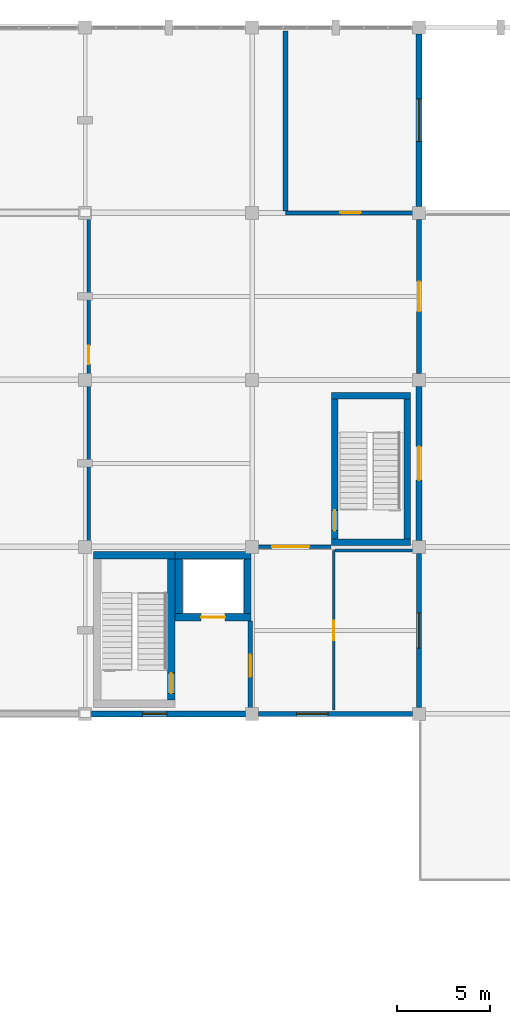
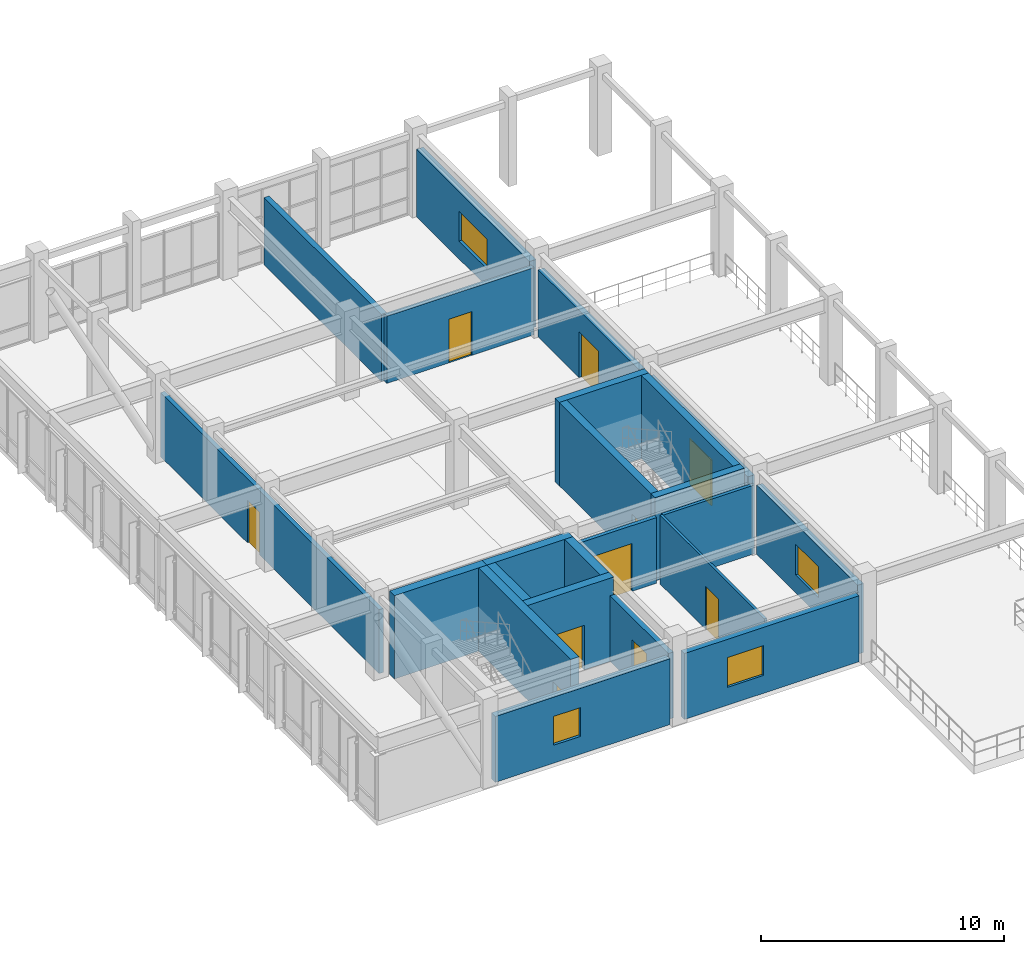
# One storey, part 45 of 55: 23 walls, 10 doors, 4 windows, 14 openings.
"""IFC4 building model written with IfcOpenShell, lengths in metres."""

from ifc_helpers import new_model, si_unit, direction, frame, frame_2d, origin, place, context, subcontext, project, spatial, rectangle, extrude, material, layer, layer_set, type_object, element, fill, save


model = new_model("IFC4")

# Units and contexts
model_context = context("Model", 3, precision=1e-05, world=origin(), true_north=direction((0.0, 1.0)))
body_context = subcontext(model_context, "Body", "Model", "MODEL_VIEW")
ifc_project = project(units=[si_unit("LENGTHUNIT", "METRE"), si_unit("AREAUNIT", "SQUARE_METRE"), si_unit("VOLUMEUNIT", "CUBIC_METRE"), si_unit("PLANEANGLEUNIT", "RADIAN"), si_unit("MASSUNIT", "GRAM", prefix="KILO")], contexts=[model_context])

# Site, building, storey
site_placement = place(None, origin())
site = spatial("IfcSite", under=ifc_project, at=site_placement, CompositionType="ELEMENT")
building_placement = place(site_placement, origin())
building = spatial("IfcBuilding", under=site, at=building_placement, Name="Ventoquebrada Cableway Terminal", CompositionType="ELEMENT")
storey_placement = place(building_placement, frame((0.0, 0.0, 14.39990234375)))
storey = spatial("IfcBuildingStorey", under=building, at=storey_placement, Name="L03", CompositionType="ELEMENT", Elevation=14.39990234375)

# Wall, opening, door
ifc_material_1 = material(Name="Concrete C40/50", Category="concrete")
ifc_layer_1 = layer(ifc_material_1, 0.39990234375)
ifc_layer_set_1 = layer_set([ifc_layer_1], Name="Concrete C40/50")
wall_type_1 = type_object("IfcWallType", Name="WL-CR1", PredefinedType="SHEAR", material=ifc_layer_set_1)
wall_1_placement = place(storey_placement, frame((12.85009765625, 77.75, 0.0), z_axis=(0.0, 0.0, 1.0), x_axis=(0.0, 1.0, 0.0)))
wall_1 = element("IfcWall", 1, at=wall_1_placement, inside=storey, type_object=wall_type_1, Name="Core shear wall IW-0074", PredefinedType="SHEAR", context=body_context, shape_type="SweptSolid", body=[
    extrude(rectangle(XDim=7.60009765625, YDim=0.39990234375, at=frame_2d((3.800048828125, 0.0))), origin(), (0.0, 0.0, 1.0), 4.190185546875),
])
opening_1_placement = place(wall_1_placement, frame((0.35009765625, 0.0, 0.0)))
opening_1 = element("IfcOpeningElement", 2, at=opening_1_placement, cuts=wall_1, Name="Opening D-009", PredefinedType="OPENING", context=body_context, shape_type="SweptSolid", body=[
    extrude(rectangle(XDim=1.10009765625, YDim=2.199951171875, at=frame_2d((0.550048828125, 1.10009765625))), frame((0.0, 0.2099609375, 0.0), z_axis=(0.0, -1.0, 0.0), x_axis=(1.0, 0.0, 0.0)), (0.0, 0.0, 1.0), 0.419921875),
])
ifc_material_2 = material(Name="Galvanized fire-rated steel door assembly", Category="steel")
door_type_1 = type_object("IfcDoorType", Name="DT-IN05", OperationType="SINGLE_SWING_LEFT", PredefinedType="DOOR", material=ifc_material_2)
door_1_placement = place(opening_1_placement, origin())
door_1 = element("IfcDoor", 3, at=door_1_placement, inside=storey, type_object=door_type_1, Name="Core K3-S stair fire door D-009", OperationType="SINGLE_SWING_RIGHT", OverallHeight=2.199951171875, OverallWidth=1.10009765625, PredefinedType="DOOR", context=body_context, shape_type="SweptSolid", body=[
    extrude(rectangle(XDim=1.10009765625, YDim=2.199951171875, at=frame_2d((0.550048828125, 1.10009765625))), frame((0.0, 0.02490234375, 0.0), z_axis=(0.0, -1.0, 0.0), x_axis=(1.0, 0.0, 0.0)), (0.0, 0.0, 1.0), 0.050048828125),
])
fill(opening_1, door_1)

# Wall
wall_2_placement = place(storey_placement, frame((13.050048828125, 85.550048828125, 0.0), z_axis=(0.0, 0.0, 1.0), x_axis=(-1.0, 0.0, 0.0)))
element("IfcWall", 4, at=wall_2_placement, inside=storey, type_object=wall_type_1, Name="Core shear wall IW-0075", PredefinedType="SHEAR", context=body_context, shape_type="SweptSolid", body=[
    extrude(rectangle(XDim=4.400146484375, YDim=0.39990234375, at=frame_2d((2.2001953125, 0.0))), origin(), (0.0, 0.0, 1.0), 4.190185546875),
])

# Wall, opening, door
wall_3_placement = place(storey_placement, frame((13.050048828125, 82.199951171875, 0.0), z_axis=(0.0, 0.0, 1.0), x_axis=(1.0, 0.0, 0.0)))
wall_3 = element("IfcWall", 5, at=wall_3_placement, inside=storey, type_object=wall_type_1, Name="Core shear wall IW-0077", PredefinedType="SHEAR", context=body_context, shape_type="SweptSolid", body=[
    extrude(rectangle(XDim=4.099853515625, YDim=0.39990234375, at=frame_2d((2.0498046875, 0.0))), origin(), (0.0, 0.0, 1.0), 4.190185546875),
])
opening_2_placement = place(wall_3_placement, frame((1.39990234375, 0.0, 0.0)))
opening_2 = element("IfcOpeningElement", 6, at=opening_2_placement, cuts=wall_3, Name="Opening LD-009", PredefinedType="OPENING", context=body_context, shape_type="SweptSolid", body=[
    extrude(rectangle(XDim=1.300048828125, YDim=2.25, at=frame_2d((0.64990234375, 1.125))), frame((0.0, 0.2099609375, 0.0), z_axis=(0.0, -1.0, 0.0), x_axis=(1.0, 0.0, 0.0)), (0.0, 0.0, 1.0), 0.419921875),
])
ifc_material_3 = material(Name="Brushed stainless steel Grade 316", Category="steel")
door_type_2 = type_object("IfcDoorType", Name="DT-LD02", OperationType="SLIDING_TO_RIGHT", PredefinedType="DOOR", material=ifc_material_3)
door_2_placement = place(opening_2_placement, origin())
door_2 = element("IfcDoor", 7, at=door_2_placement, inside=storey, type_object=door_type_2, Name="Lift landing sliding door LD-009", OperationType="SLIDING_TO_RIGHT", OverallHeight=2.25, OverallWidth=1.300048828125, PredefinedType="DOOR", context=body_context, shape_type="SweptSolid", body=[
    extrude(rectangle(XDim=1.300048828125, YDim=2.25, at=frame_2d((0.64990234375, 1.125))), frame((0.0, 0.02490234375, 0.0), z_axis=(0.0, -1.0, 0.0), x_axis=(1.0, 0.0, 0.0)), (0.0, 0.0, 1.0), 0.050048828125),
])
fill(opening_2, door_2)

# Walls
wall_4_placement = place(storey_placement, frame((16.949951171875, 82.39990234375, 0.0), z_axis=(0.0, 0.0, 1.0), x_axis=(0.0, 1.0, 0.0)))
element("IfcWall", 8, at=wall_4_placement, inside=storey, type_object=wall_type_1, Name="Core shear wall IW-0078", PredefinedType="SHEAR", context=body_context, shape_type="SweptSolid", body=[
    extrude(rectangle(XDim=2.9501953125, YDim=0.39990234375, at=frame_2d((1.47509765625, 0.0))), origin(), (0.0, 0.0, 1.0), 4.190185546875),
])
wall_5_placement = place(storey_placement, frame((17.14990234375, 85.550048828125, 0.0), z_axis=(0.0, 0.0, 1.0), x_axis=(-1.0, 0.0, 0.0)))
element("IfcWall", 9, at=wall_5_placement, inside=storey, type_object=wall_type_1, Name="Core shear wall IW-0079", PredefinedType="SHEAR", context=body_context, shape_type="SweptSolid", body=[
    extrude(rectangle(XDim=4.099853515625, YDim=0.39990234375, at=frame_2d((2.0498046875, 0.0))), origin(), (0.0, 0.0, 1.0), 4.190185546875),
])
wall_6_placement = place(storey_placement, frame((13.25, 85.35009765625, 0.0), z_axis=(0.0, 0.0, 1.0), x_axis=(0.0, -1.0, 0.0)))
element("IfcWall", 10, at=wall_6_placement, inside=storey, type_object=wall_type_1, Name="Core shear wall IW-0080", PredefinedType="SHEAR", context=body_context, shape_type="SweptSolid", body=[
    extrude(rectangle(XDim=2.9501953125, YDim=0.39990234375, at=frame_2d((1.47509765625, 0.0))), origin(), (0.0, 0.0, 1.0), 4.190185546875),
])

# Wall, opening, window
ifc_material_4 = material(Name="Precast architectural concrete C40/50", Category="concrete")
ifc_layer_2 = layer(ifc_material_4, 0.280029296875)
ifc_layer_set_2 = layer_set([ifc_layer_2], Name="Precast architectural concrete C40/50")
wall_type_2 = type_object("IfcWallType", Name="WL-EX1", PredefinedType="SOLIDWALL", material=ifc_layer_set_2)
wall_7_placement = place(storey_placement, frame((17.544921875, 77.0, 0.0), z_axis=(0.0, 0.0, 1.0), x_axis=(1.0, 0.0, 0.0)))
wall_7 = element("IfcWall", 11, at=wall_7_placement, inside=storey, type_object=wall_type_2, Name="Exterior architectural wall EW-0165", PredefinedType="SOLIDWALL", context=body_context, shape_type="SweptSolid", body=[
    extrude(rectangle(XDim=8.31005859375, YDim=0.280029296875, at=frame_2d((4.155029296875, 0.0))), origin(), (0.0, 0.0, 1.0), 3.314208984375),
])
opening_3_placement = place(wall_7_placement, frame((2.054931640625, 0.0, 0.89990234375)))
opening_3 = element("IfcOpeningElement", 12, at=opening_3_placement, cuts=wall_7, Name="Opening WN-076", PredefinedType="OPENING", context=body_context, shape_type="SweptSolid", body=[
    extrude(rectangle(XDim=1.699951171875, YDim=1.5, at=frame_2d((0.85009765625, 0.75))), frame((0.0, 0.14990234375, 0.0), z_axis=(0.0, -1.0, 0.0), x_axis=(1.0, 0.0, 0.0)), (0.0, 0.0, 1.0), 0.300048828125),
])
ifc_material_5 = material(Name="Double low-e laminated safety glazing", Category="glass")
window_type_1 = type_object("IfcWindowType", Name="WT-16", PartitioningType="SINGLE_PANEL", PredefinedType="WINDOW", material=ifc_material_5)
window_1_placement = place(opening_3_placement, origin())
window_1 = element("IfcWindow", 13, at=window_1_placement, inside=storey, type_object=window_type_1, Name="Architectural punched window WN-076", OverallHeight=1.5, OverallWidth=1.699951171875, PartitioningType="SINGLE_PANEL", PredefinedType="WINDOW", context=body_context, shape_type="SweptSolid", body=[
    extrude(rectangle(XDim=1.699951171875, YDim=1.5, at=frame_2d((0.85009765625, 0.75))), frame((0.0, 0.030029296875, 0.0), z_axis=(0.0, -1.0, 0.0), x_axis=(1.0, 0.0, 0.0)), (0.0, 0.0, 1.0), 0.06005859375),
])
fill(opening_3, window_1)

wall_8_placement = place(storey_placement, frame((26.199951171875, 77.344970703125, 0.0), z_axis=(0.0, 0.0, 1.0), x_axis=(0.0, 1.0, 0.0)))
wall_8 = element("IfcWall", 14, at=wall_8_placement, inside=storey, type_object=wall_type_2, Name="Exterior architectural wall EW-0166", PredefinedType="SOLIDWALL", context=body_context, shape_type="SweptSolid", body=[
    extrude(rectangle(XDim=8.31005859375, YDim=0.280029296875, at=frame_2d((4.155029296875, 0.0))), origin(), (0.0, 0.0, 1.0), 3.47216796875),
])
opening_4_placement = place(wall_8_placement, frame((3.205078125, 0.0, 0.89990234375)))
opening_4 = element("IfcOpeningElement", 15, at=opening_4_placement, cuts=wall_8, Name="Opening WN-077", PredefinedType="OPENING", context=body_context, shape_type="SweptSolid", body=[
    extrude(rectangle(XDim=1.89990234375, YDim=1.550048828125, at=frame_2d((0.949951171875, 0.77490234375))), frame((0.0, 0.14990234375, 0.0), z_axis=(0.0, -1.0, 0.0), x_axis=(1.0, 0.0, 0.0)), (0.0, 0.0, 1.0), 0.300048828125),
])
window_type_2 = type_object("IfcWindowType", Name="WT-17", PartitioningType="SINGLE_PANEL", PredefinedType="WINDOW", material=ifc_material_5)
window_2_placement = place(opening_4_placement, origin())
window_2 = element("IfcWindow", 16, at=window_2_placement, inside=storey, type_object=window_type_2, Name="Architectural punched window WN-077", OverallHeight=1.550048828125, OverallWidth=1.89990234375, PartitioningType="SINGLE_PANEL", PredefinedType="WINDOW", context=body_context, shape_type="SweptSolid", body=[
    extrude(rectangle(XDim=1.89990234375, YDim=1.550048828125, at=frame_2d((0.949951171875, 0.77490234375))), frame((0.0, 0.030029296875, 0.0), z_axis=(0.0, -1.0, 0.0), x_axis=(1.0, 0.0, 0.0)), (0.0, 0.0, 1.0), 0.06005859375),
])
fill(opening_4, window_2)

# Wall, opening, door
wall_9_placement = place(storey_placement, frame((26.199951171875, 95.344970703125, 0.0), z_axis=(0.0, 0.0, 1.0), x_axis=(0.0, 1.0, 0.0)))
wall_9 = element("IfcWall", 17, at=wall_9_placement, inside=storey, type_object=wall_type_2, Name="Exterior architectural wall EW-0168", PredefinedType="SOLIDWALL", context=body_context, shape_type="SweptSolid", body=[
    extrude(rectangle(XDim=8.31005859375, YDim=0.280029296875, at=frame_2d((4.155029296875, 0.0))), origin(), (0.0, 0.0, 1.0), 3.38720703125),
])
opening_5_placement = place(wall_9_placement, frame((3.35498046875, 0.0, 0.0)))
opening_5 = element("IfcOpeningElement", 18, at=opening_5_placement, cuts=wall_9, Name="Opening D-TD-12", PredefinedType="OPENING", context=body_context, shape_type="SweptSolid", body=[
    extrude(rectangle(XDim=1.60009765625, YDim=2.300048828125, at=frame_2d((0.800048828125, 1.14990234375))), frame((0.0, 0.14990234375, 0.0), z_axis=(0.0, -1.0, 0.0), x_axis=(1.0, 0.0, 0.0)), (0.0, 0.0, 1.0), 0.300048828125),
])
ifc_material_6 = material(Name="Galvanized acoustic steel door assembly", Category="steel")
door_type_3 = type_object("IfcDoorType", Name="DT-EX06", OperationType="SLIDING_TO_LEFT", PredefinedType="DOOR", material=ifc_material_6)
door_3_placement = place(opening_5_placement, origin())
door_3 = element("IfcDoor", 19, at=door_3_placement, inside=storey, type_object=door_type_3, Name="Exterior d-td door D-TD-12", OperationType="SLIDING_TO_LEFT", OverallHeight=2.300048828125, OverallWidth=1.60009765625, PredefinedType="DOOR", context=body_context, shape_type="SweptSolid", body=[
    extrude(rectangle(XDim=1.60009765625, YDim=2.300048828125, at=frame_2d((0.800048828125, 1.14990234375))), frame((0.0, 0.02490234375, 0.0), z_axis=(0.0, -1.0, 0.0), x_axis=(1.0, 0.0, 0.0)), (0.0, 0.0, 1.0), 0.050048828125),
])
fill(opening_5, door_3)

# Wall, opening, window
ifc_layer_3 = layer(ifc_material_4, 0.320068359375)
ifc_layer_set_3 = layer_set([ifc_layer_3], Name="Precast architectural concrete C40/50")
wall_type_3 = type_object("IfcWallType", Name="WL-EX2", PredefinedType="SOLIDWALL", material=ifc_layer_set_3)
wall_10_placement = place(storey_placement, frame((8.544921875, 77.0, 0.0), z_axis=(0.0, 0.0, 1.0), x_axis=(1.0, 0.0, 0.0)))
wall_10 = element("IfcWall", 20, at=wall_10_placement, inside=storey, type_object=wall_type_3, Name="Exterior architectural wall EW-0164", PredefinedType="SOLIDWALL", context=body_context, shape_type="SweptSolid", body=[
    extrude(rectangle(XDim=8.31005859375, YDim=0.320068359375, at=frame_2d((4.155029296875, 0.0))), origin(), (0.0, 0.0, 1.0), 3.314208984375),
])
opening_6_placement = place(wall_10_placement, frame((2.7548828125, 0.0, 0.89990234375)))
opening_6 = element("IfcOpeningElement", 21, at=opening_6_placement, cuts=wall_10, Name="Opening WN-075", PredefinedType="OPENING", context=body_context, shape_type="SweptSolid", body=[
    extrude(rectangle(XDim=1.300048828125, YDim=1.449951171875, at=frame_2d((0.64990234375, 0.72509765625))), frame((0.0, 0.169921875, 0.0), z_axis=(0.0, -1.0, 0.0), x_axis=(1.0, 0.0, 0.0)), (0.0, 0.0, 1.0), 0.340087890625),
])
window_type_3 = type_object("IfcWindowType", Name="WT-15", PartitioningType="SINGLE_PANEL", PredefinedType="WINDOW", material=ifc_material_5)
window_3_placement = place(opening_6_placement, origin())
window_3 = element("IfcWindow", 22, at=window_3_placement, inside=storey, type_object=window_type_3, Name="Architectural punched window WN-075", OverallHeight=1.449951171875, OverallWidth=1.300048828125, PartitioningType="SINGLE_PANEL", PredefinedType="WINDOW", context=body_context, shape_type="SweptSolid", body=[
    extrude(rectangle(XDim=1.300048828125, YDim=1.449951171875, at=frame_2d((0.64990234375, 0.72509765625))), frame((0.0, 0.030029296875, 0.0), z_axis=(0.0, -1.0, 0.0), x_axis=(1.0, 0.0, 0.0)), (0.0, 0.0, 1.0), 0.06005859375),
])
fill(opening_6, window_3)

# Wall, opening, door
wall_11_placement = place(storey_placement, frame((26.199951171875, 86.344970703125, 0.0), z_axis=(0.0, 0.0, 1.0), x_axis=(0.0, 1.0, 0.0)))
wall_11 = element("IfcWall", 23, at=wall_11_placement, inside=storey, type_object=wall_type_3, Name="Exterior architectural wall EW-0167", PredefinedType="SOLIDWALL", context=body_context, shape_type="SweptSolid", body=[
    extrude(rectangle(XDim=8.31005859375, YDim=0.320068359375, at=frame_2d((4.155029296875, 0.0))), origin(), (0.0, 0.0, 1.0), 3.47216796875),
])
opening_7_placement = place(wall_11_placement, frame((3.2548828125, 0.0, 0.0)))
opening_7 = element("IfcOpeningElement", 24, at=opening_7_placement, cuts=wall_11, Name="Opening D-TD-11", PredefinedType="OPENING", context=body_context, shape_type="SweptSolid", body=[
    extrude(rectangle(XDim=1.800048828125, YDim=2.300048828125, at=frame_2d((0.89990234375, 1.14990234375))), frame((0.0, 0.169921875, 0.0), z_axis=(0.0, -1.0, 0.0), x_axis=(1.0, 0.0, 0.0)), (0.0, 0.0, 1.0), 0.340087890625),
])
door_type_4 = type_object("IfcDoorType", Name="DT-EX03", OperationType="DOUBLE_SWING_LEFT", PredefinedType="DOOR", material=ifc_material_6)
door_4_placement = place(opening_7_placement, origin())
door_4 = element("IfcDoor", 25, at=door_4_placement, inside=storey, type_object=door_type_4, Name="Exterior d-td door D-TD-11", OperationType="DOUBLE_SWING_RIGHT", OverallHeight=2.300048828125, OverallWidth=1.800048828125, PredefinedType="DOOR", context=body_context, shape_type="SweptSolid", body=[
    extrude(rectangle(XDim=1.800048828125, YDim=2.300048828125, at=frame_2d((0.89990234375, 1.14990234375))), frame((0.0, 0.02490234375, 0.0), z_axis=(0.0, -1.0, 0.0), x_axis=(1.0, 0.0, 0.0)), (0.0, 0.0, 1.0), 0.050048828125),
])
fill(opening_7, door_4)

# Wall, opening, window
wall_12_placement = place(storey_placement, frame((26.199951171875, 104.344970703125, 0.0), z_axis=(0.0, 0.0, 1.0), x_axis=(0.0, 1.0, 0.0)))
wall_12 = element("IfcWall", 26, at=wall_12_placement, inside=storey, type_object=wall_type_3, Name="Exterior architectural wall EW-0169", PredefinedType="SOLIDWALL", context=body_context, shape_type="SweptSolid", body=[
    extrude(rectangle(XDim=9.31005859375, YDim=0.320068359375, at=frame_2d((4.655029296875, 0.0))), origin(), (0.0, 0.0, 1.0), 3.38720703125),
])
opening_8_placement = place(wall_12_placement, frame((3.5048828125, 0.0, 0.89990234375)))
opening_8 = element("IfcOpeningElement", 27, at=opening_8_placement, cuts=wall_12, Name="Opening WN-078", PredefinedType="OPENING", context=body_context, shape_type="SweptSolid", body=[
    extrude(rectangle(XDim=2.300048828125, YDim=1.5, at=frame_2d((1.14990234375, 0.75))), frame((0.0, 0.169921875, 0.0), z_axis=(0.0, -1.0, 0.0), x_axis=(1.0, 0.0, 0.0)), (0.0, 0.0, 1.0), 0.340087890625),
])
window_type_4 = type_object("IfcWindowType", Name="WT-18", PartitioningType="SINGLE_PANEL", PredefinedType="WINDOW", material=ifc_material_5)
window_4_placement = place(opening_8_placement, origin())
window_4 = element("IfcWindow", 28, at=window_4_placement, inside=storey, type_object=window_type_4, Name="Architectural punched window WN-078", OverallHeight=1.5, OverallWidth=2.300048828125, PartitioningType="SINGLE_PANEL", PredefinedType="WINDOW", context=body_context, shape_type="SweptSolid", body=[
    extrude(rectangle(XDim=2.300048828125, YDim=1.5, at=frame_2d((1.14990234375, 0.75))), frame((0.0, 0.030029296875, 0.0), z_axis=(0.0, -1.0, 0.0), x_axis=(1.0, 0.0, 0.0)), (0.0, 0.0, 1.0), 0.06005859375),
])
fill(opening_8, window_4)

# Wall, opening, door
ifc_material_7 = material(Name="Fire-rated gypsum partition board on steel framing", Category="steel")
ifc_layer_4 = layer(ifc_material_7, 0.1201171875)
ifc_layer_set_4 = layer_set([ifc_layer_4], Name="Fire-rated gypsum partition board on steel framing")
wall_type_4 = type_object("IfcWallType", Name="WL-PT1", PredefinedType="PARTITIONING", material=ifc_layer_set_4)
wall_13_placement = place(storey_placement, frame((21.60009765625, 77.199951171875, 0.0), z_axis=(0.0, 0.0, 1.0), x_axis=(0.0, 1.0, 0.0)))
wall_13 = element("IfcWall", 29, at=wall_13_placement, inside=storey, type_object=wall_type_4, Name="Interior partition IW-0421", PredefinedType="PARTITIONING", context=body_context, shape_type="SweptSolid", body=[
    extrude(rectangle(XDim=8.60009765625, YDim=0.1201171875, at=frame_2d((4.300048828125, 0.0))), origin(), (0.0, 0.0, 1.0), 3.462158203125),
])
opening_9_placement = place(wall_13_placement, frame((3.77490234375, 0.0, 0.0)))
opening_9 = element("IfcOpeningElement", 30, at=opening_9_placement, cuts=wall_13, Name="Opening D-133", PredefinedType="OPENING", context=body_context, shape_type="SweptSolid", body=[
    extrude(rectangle(XDim=1.050048828125, YDim=2.14990234375, at=frame_2d((0.52490234375, 1.074951171875))), frame((0.0, 0.070068359375, 0.0), z_axis=(0.0, -1.0, 0.0), x_axis=(1.0, 0.0, 0.0)), (0.0, 0.0, 1.0), 0.14013671875),
])
ifc_material_8 = material(Name="Fire-retardant oak acoustic door leaf")
door_type_5 = type_object("IfcDoorType", Name="DT-IN03", OperationType="SINGLE_SWING_LEFT", PredefinedType="DOOR", material=ifc_material_8)
door_5_placement = place(opening_9_placement, origin())
door_5 = element("IfcDoor", 31, at=door_5_placement, inside=storey, type_object=door_type_5, Name="Restaurant Accessible WC Door D-133", OperationType="SINGLE_SWING_RIGHT", OverallHeight=2.14990234375, OverallWidth=1.050048828125, PredefinedType="DOOR", context=body_context, shape_type="SweptSolid", body=[
    extrude(rectangle(XDim=1.050048828125, YDim=2.14990234375, at=frame_2d((0.52490234375, 1.074951171875))), frame((0.0, 0.02490234375, 0.0), z_axis=(0.0, -1.0, 0.0), x_axis=(1.0, 0.0, 0.0)), (0.0, 0.0, 1.0), 0.050048828125),
])
fill(opening_9, door_5)

ifc_material_9 = material(Name="Autoclaved aerated concrete blockwork", Category="masonry")
ifc_layer_5 = layer(ifc_material_9, 0.2451171875)
ifc_layer_set_5 = layer_set([ifc_layer_5], Name="Autoclaved aerated concrete blockwork")
wall_type_5 = type_object("IfcWallType", Name="WL-PT10", PredefinedType="PARTITIONING", material=ifc_layer_set_5)
wall_14_placement = place(storey_placement, frame((17.10009765625, 77.199951171875, 0.0), z_axis=(0.0, 0.0, 1.0), x_axis=(0.0, 1.0, 0.0)))
wall_14 = element("IfcWall", 32, at=wall_14_placement, inside=storey, type_object=wall_type_5, Name="Interior partition IW-0420", PredefinedType="PARTITIONING", context=body_context, shape_type="SweptSolid", body=[
    extrude(rectangle(XDim=4.800048828125, YDim=0.2451171875, at=frame_2d((2.39990234375, 0.0))), origin(), (0.0, 0.0, 1.0), 3.30419921875),
])
opening_10_placement = place(wall_14_placement, frame((1.800048828125, 0.0, 0.0)))
opening_10 = element("IfcOpeningElement", 33, at=opening_10_placement, cuts=wall_14, Name="Opening D-132", PredefinedType="OPENING", context=body_context, shape_type="SweptSolid", body=[
    extrude(rectangle(XDim=1.199951171875, YDim=2.199951171875, at=frame_2d((0.60009765625, 1.10009765625))), frame((0.0, 0.132568359375, 0.0), z_axis=(0.0, -1.0, 0.0), x_axis=(1.0, 0.0, 0.0)), (0.0, 0.0, 1.0), 0.26513671875),
])
door_type_6 = type_object("IfcDoorType", Name="DT-IN06", OperationType="SINGLE_SWING_RIGHT", PredefinedType="DOOR", material=ifc_material_2)
door_6_placement = place(opening_10_placement, origin())
door_6 = element("IfcDoor", 34, at=door_6_placement, inside=storey, type_object=door_type_6, Name="K3 Firefighting Lobby Door D-132", OperationType="SINGLE_SWING_LEFT", OverallHeight=2.199951171875, OverallWidth=1.199951171875, PredefinedType="DOOR", context=body_context, shape_type="SweptSolid", body=[
    extrude(rectangle(XDim=1.199951171875, YDim=2.199951171875, at=frame_2d((0.60009765625, 1.10009765625))), frame((0.0, 0.02490234375, 0.0), z_axis=(0.0, -1.0, 0.0), x_axis=(1.0, 0.0, 0.0)), (0.0, 0.0, 1.0), 0.050048828125),
])
fill(opening_10, door_6)

# Wall
ifc_layer_6 = layer(ifc_material_7, 0.14990234375)
ifc_layer_set_6 = layer_set([ifc_layer_6], Name="Fire-rated gypsum partition board on steel framing")
wall_type_6 = type_object("IfcWallType", Name="WL-PT2", PredefinedType="PARTITIONING", material=ifc_layer_set_6)
wall_15_placement = place(storey_placement, frame((21.657958984375, 85.800048828125, 0.0), z_axis=(0.0, 0.0, 1.0), x_axis=(1.0, 0.0, 0.0)))
element("IfcWall", 35, at=wall_15_placement, inside=storey, type_object=wall_type_6, Name="Interior partition IW-0422", PredefinedType="PARTITIONING", context=body_context, shape_type="SweptSolid", body=[
    extrude(rectangle(XDim=4.342041015625, YDim=0.14990234375, at=frame_2d((2.1708984375, 0.0))), origin(), (0.0, 0.0, 1.0), 3.462158203125),
])

# Wall, opening, door
ifc_layer_7 = layer(ifc_material_7, 0.179931640625)
ifc_layer_set_7 = layer_set([ifc_layer_7], Name="Fire-rated gypsum partition board on steel framing")
wall_type_7 = type_object("IfcWallType", Name="WL-PT3", PredefinedType="STANDARD", material=ifc_layer_set_7)
wall_16_placement = place(storey_placement, frame((17.10009765625, 86.0, 0.0), z_axis=(0.0, 0.0, 1.0), x_axis=(1.0, 0.0, 0.0)))
wall_16 = element("IfcWall", 36, at=wall_16_placement, inside=storey, type_object=wall_type_7, Name="Interior partition IW-0423", PredefinedType="STANDARD", context=body_context, shape_type="SweptSolid", body=[
    extrude(rectangle(XDim=4.349853515625, YDim=0.179931640625, at=frame_2d((2.1748046875, 0.0))), origin(), (0.0, 0.0, 1.0), 3.30419921875),
])
opening_11_placement = place(wall_16_placement, frame((1.175048828125, 0.0, 0.0)))
opening_11 = element("IfcOpeningElement", 37, at=opening_11_placement, cuts=wall_16, Name="Opening D-134", PredefinedType="OPENING", context=body_context, shape_type="SweptSolid", body=[
    extrude(rectangle(XDim=2.0, YDim=2.39990234375, at=frame_2d((1.0, 1.199951171875))), frame((0.0, 0.099853515625, 0.0), z_axis=(0.0, -1.0, 0.0), x_axis=(1.0, 0.0, 0.0)), (0.0, 0.0, 1.0), 0.199951171875),
])
door_type_7 = type_object("IfcDoorType", Name="DT-IN09", OperationType="DOUBLE_DOOR_SINGLE_SWING", PredefinedType="DOOR", material=ifc_material_2)
door_7_placement = place(opening_11_placement, origin())
door_7 = element("IfcDoor", 38, at=door_7_placement, inside=storey, type_object=door_type_7, Name="Panoramic Restaurant Lobby Door D-134", OperationType="DOUBLE_DOOR_SINGLE_SWING", OverallHeight=2.39990234375, OverallWidth=2.0, PredefinedType="DOOR", context=body_context, shape_type="SweptSolid", body=[
    extrude(rectangle(XDim=2.0, YDim=2.39990234375, at=frame_2d((1.0, 1.199951171875))), frame((0.0, 0.02490234375, 0.0), z_axis=(0.0, -1.0, 0.0), x_axis=(1.0, 0.0, 0.0)), (0.0, 0.0, 1.0), 0.050048828125),
])
fill(opening_11, door_7)

ifc_layer_8 = layer(ifc_material_9, 0.199951171875)
ifc_layer_set_8 = layer_set([ifc_layer_8], Name="Autoclaved aerated concrete blockwork")
wall_type_8 = type_object("IfcWallType", Name="WL-PT4", PredefinedType="PARTITIONING", material=ifc_layer_set_8)
wall_17_placement = place(storey_placement, frame((8.39990234375, 86.0, 0.0), z_axis=(0.0, 0.0, 1.0), x_axis=(0.0, 1.0, 0.0)))
wall_17 = element("IfcWall", 39, at=wall_17_placement, inside=storey, type_object=wall_type_8, Name="Interior partition IW-0424", PredefinedType="PARTITIONING", context=body_context, shape_type="SweptSolid", body=[
    extrude(rectangle(XDim=18.0, YDim=0.199951171875, at=frame_2d((9.0, 0.0))), origin(), (0.0, 0.0, 1.0), 3.218994140625),
])
opening_12_placement = place(wall_17_placement, frame((9.85009765625, 0.0, 0.0)))
opening_12 = element("IfcOpeningElement", 40, at=opening_12_placement, cuts=wall_17, Name="Opening D-135", PredefinedType="OPENING", context=body_context, shape_type="SweptSolid", body=[
    extrude(rectangle(XDim=1.0, YDim=2.14990234375, at=frame_2d((0.5, 1.074951171875))), frame((0.0, 0.10986328125, 0.0), z_axis=(0.0, -1.0, 0.0), x_axis=(1.0, 0.0, 0.0)), (0.0, 0.0, 1.0), 0.219970703125),
])
door_type_8 = type_object("IfcDoorType", Name="DT-IN02", OperationType="SINGLE_SWING_RIGHT", PredefinedType="DOOR", material=ifc_material_8)
door_8_placement = place(opening_12_placement, origin())
door_8 = element("IfcDoor", 41, at=door_8_placement, inside=storey, type_object=door_type_8, Name="West Cantilever Gallery Door D-135", OperationType="SINGLE_SWING_RIGHT", OverallHeight=2.14990234375, OverallWidth=1.0, PredefinedType="DOOR", context=body_context, shape_type="SweptSolid", body=[
    extrude(rectangle(XDim=1.0, YDim=2.14990234375, at=frame_2d((0.5, 1.074951171875))), frame((0.0, 0.02490234375, 0.0), z_axis=(0.0, -1.0, 0.0), x_axis=(1.0, 0.0, 0.0)), (0.0, 0.0, 1.0), 0.050048828125),
])
fill(opening_12, door_8)

ifc_layer_9 = layer(ifc_material_9, 0.22998046875)
ifc_layer_set_9 = layer_set([ifc_layer_9], Name="Autoclaved aerated concrete blockwork")
wall_type_9 = type_object("IfcWallType", Name="WL-PT5", PredefinedType="PARTITIONING", material=ifc_layer_set_9)
wall_18_placement = place(storey_placement, frame((19.0, 104.0, 0.0), z_axis=(0.0, 0.0, 1.0), x_axis=(1.0, 0.0, 0.0)))
wall_18 = element("IfcWall", 42, at=wall_18_placement, inside=storey, type_object=wall_type_9, Name="Interior partition IW-0425", PredefinedType="PARTITIONING", context=body_context, shape_type="SweptSolid", body=[
    extrude(rectangle(XDim=7.0, YDim=0.22998046875, at=frame_2d((3.5, 0.0))), origin(), (0.0, 0.0, 1.0), 3.377197265625),
])
opening_13_placement = place(wall_18_placement, frame((2.949951171875, 0.0, 0.0)))
opening_13 = element("IfcOpeningElement", 43, at=opening_13_placement, cuts=wall_18, Name="Opening D-136", PredefinedType="OPENING", context=body_context, shape_type="SweptSolid", body=[
    extrude(rectangle(XDim=1.10009765625, YDim=2.199951171875, at=frame_2d((0.550048828125, 1.10009765625))), frame((0.0, 0.125, 0.0), z_axis=(0.0, -1.0, 0.0), x_axis=(1.0, 0.0, 0.0)), (0.0, 0.0, 1.0), 0.25),
])
door_type_9 = type_object("IfcDoorType", Name="DT-IN04", OperationType="SINGLE_SWING_RIGHT", PredefinedType="DOOR", material=ifc_material_2)
door_9_placement = place(opening_13_placement, origin())
door_9 = element("IfcDoor", 44, at=door_9_placement, inside=storey, type_object=door_type_9, Name="Commercial Kitchen Service Door D-136", OperationType="SINGLE_SWING_LEFT", OverallHeight=2.199951171875, OverallWidth=1.10009765625, PredefinedType="DOOR", context=body_context, shape_type="SweptSolid", body=[
    extrude(rectangle(XDim=1.10009765625, YDim=2.199951171875, at=frame_2d((0.550048828125, 1.10009765625))), frame((0.0, 0.02490234375, 0.0), z_axis=(0.0, -1.0, 0.0), x_axis=(1.0, 0.0, 0.0)), (0.0, 0.0, 1.0), 0.050048828125),
])
fill(opening_13, door_9)

# Walls
ifc_layer_10 = layer(ifc_material_9, 0.260009765625)
ifc_layer_set_10 = layer_set([ifc_layer_10], Name="Autoclaved aerated concrete blockwork")
wall_type_10 = type_object("IfcWallType", Name="WL-PT6", PredefinedType="PARTITIONING", material=ifc_layer_set_10)
wall_19_placement = place(storey_placement, frame((19.0, 104.113037109375, 0.0), z_axis=(0.0, 0.0, 1.0), x_axis=(0.0, 1.0, 0.0)))
element("IfcWall", 45, at=wall_19_placement, inside=storey, type_object=wall_type_10, Name="Interior partition IW-0426", PredefinedType="PARTITIONING", context=body_context, shape_type="SweptSolid", body=[
    extrude(rectangle(XDim=9.68701171875, YDim=0.260009765625, at=frame_2d((4.843505859375, 0.0))), origin(), (0.0, 0.0, 1.0), 3.377197265625),
])
ifc_layer_11 = layer(ifc_material_1, 0.35009765625)
ifc_layer_set_11 = layer_set([ifc_layer_11], Name="Concrete C40/50")
wall_type_11 = type_object("IfcWallType", Name="WL-SH1", PredefinedType="SHEAR", material=ifc_layer_set_11)
wall_20_placement = place(storey_placement, frame((21.47509765625, 86.25, 0.0), z_axis=(0.0, 0.0, 1.0), x_axis=(1.0, 0.0, 0.0)))
element("IfcWall", 46, at=wall_20_placement, inside=storey, type_object=wall_type_11, Name="Core shear wall IW-0221", PredefinedType="SHEAR", context=body_context, shape_type="SweptSolid", body=[
    extrude(rectangle(XDim=4.25, YDim=0.35009765625, at=frame_2d((2.125, 0.0))), origin(), (0.0, 0.0, 1.0), 4.190185546875),
])
wall_21_placement = place(storey_placement, frame((25.550048828125, 86.425048828125, 0.0), z_axis=(0.0, 0.0, 1.0), x_axis=(0.0, 1.0, 0.0)))
element("IfcWall", 47, at=wall_21_placement, inside=storey, type_object=wall_type_11, Name="Core shear wall IW-0222", PredefinedType="SHEAR", context=body_context, shape_type="SweptSolid", body=[
    extrude(rectangle(XDim=7.550048828125, YDim=0.35009765625, at=frame_2d((3.77490234375, 0.0))), origin(), (0.0, 0.0, 1.0), 4.190185546875),
])
wall_22_placement = place(storey_placement, frame((25.72509765625, 94.14990234375, 0.0), z_axis=(0.0, 0.0, 1.0), x_axis=(-1.0, 0.0, 0.0)))
element("IfcWall", 48, at=wall_22_placement, inside=storey, type_object=wall_type_11, Name="Core shear wall IW-0223", PredefinedType="SHEAR", context=body_context, shape_type="SweptSolid", body=[
    extrude(rectangle(XDim=4.25, YDim=0.35009765625, at=frame_2d((2.125, 0.0))), origin(), (0.0, 0.0, 1.0), 4.190185546875),
])

# Wall, opening, door
wall_23_placement = place(storey_placement, frame((21.64990234375, 93.97509765625, 0.0), z_axis=(0.0, 0.0, 1.0), x_axis=(0.0, -1.0, 0.0)))
wall_23 = element("IfcWall", 49, at=wall_23_placement, inside=storey, type_object=wall_type_11, Name="Core shear wall IW-0224", PredefinedType="SHEAR", context=body_context, shape_type="SweptSolid", body=[
    extrude(rectangle(XDim=7.550048828125, YDim=0.35009765625, at=frame_2d((3.77490234375, 0.0))), origin(), (0.0, 0.0, 1.0), 4.190185546875),
])
opening_14_placement = place(wall_23_placement, frame((6.0, 0.0, 0.0)))
opening_14 = element("IfcOpeningElement", 50, at=opening_14_placement, cuts=wall_23, Name="Opening D-031", PredefinedType="OPENING", context=body_context, shape_type="SweptSolid", body=[
    extrude(rectangle(XDim=1.10009765625, YDim=2.199951171875, at=frame_2d((0.550048828125, 1.10009765625))), frame((0.0, 0.18505859375, 0.0), z_axis=(0.0, -1.0, 0.0), x_axis=(1.0, 0.0, 0.0)), (0.0, 0.0, 1.0), 0.3701171875),
])
door_10_placement = place(opening_14_placement, origin())
door_10 = element("IfcDoor", 51, at=door_10_placement, inside=storey, type_object=door_type_1, Name="Core V3-SEC stair fire door D-031", OperationType="SINGLE_SWING_RIGHT", OverallHeight=2.199951171875, OverallWidth=1.10009765625, PredefinedType="DOOR", context=body_context, shape_type="SweptSolid", body=[
    extrude(rectangle(XDim=1.10009765625, YDim=2.199951171875, at=frame_2d((0.550048828125, 1.10009765625))), frame((0.0, 0.02490234375, 0.0), z_axis=(0.0, -1.0, 0.0), x_axis=(1.0, 0.0, 0.0)), (0.0, 0.0, 1.0), 0.050048828125),
])
fill(opening_14, door_10)

save(model, "model.ifc")
